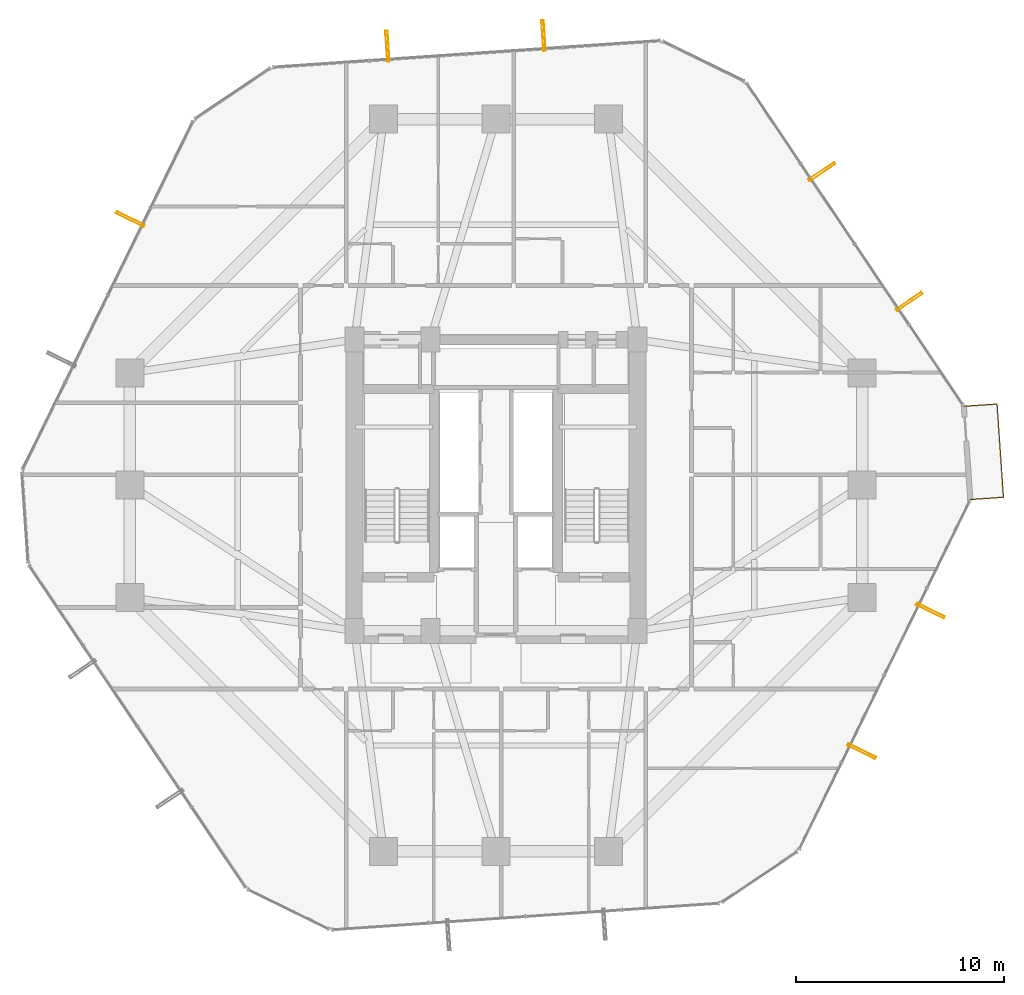
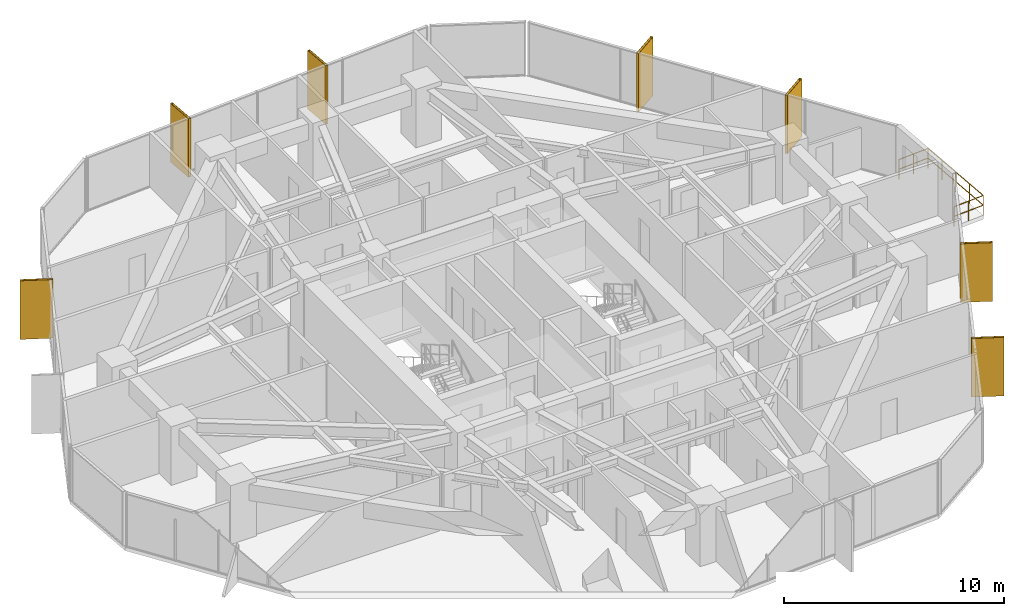
# One storey, part 37 of 37: 7 shading devices, 1 railing.
"""IFC4 building model written with IfcOpenShell, lengths in metres."""

from ifc_helpers import new_model, si_unit, direction, frame, origin, origin_2d, place, context, subcontext, project, spatial, hollow_rectangle, circle, extrude, material, material_profile, profile_set, type_object, element, save


model = new_model("IFC4")

# Units and contexts
model_context = context("Model", 3, precision=1e-05, world=origin(), true_north=direction((0.0, 1.0)))
body_context = subcontext(model_context, "Body", "Model", "MODEL_VIEW")
ifc_project = project(units=[si_unit("LENGTHUNIT", "METRE"), si_unit("AREAUNIT", "SQUARE_METRE"), si_unit("VOLUMEUNIT", "CUBIC_METRE"), si_unit("PLANEANGLEUNIT", "RADIAN"), si_unit("MASSUNIT", "GRAM", prefix="KILO")], contexts=[model_context])

# Site, building, storey
site_placement = place(None, origin())
site = spatial("IfcSite", under=ifc_project, at=site_placement, CompositionType="ELEMENT")
building_placement = place(site_placement, origin())
building = spatial("IfcBuilding", under=site, at=building_placement, Name="Veraguas Prism Commons", CompositionType="ELEMENT")
storey_placement = place(building_placement, frame((0.0, 0.0, 37.050048828125)))
storey = spatial("IfcBuildingStorey", under=building, at=storey_placement, Name="L09", CompositionType="ELEMENT", Elevation=37.050048828125)

# Shading devices
ifc_material_1 = material(Name="Anodised aluminium EN AW-6063 T6", Category="aluminium")
ifc_material_profile = material_profile(ifc_material_1, hollow_rectangle(XDim=0.1201171875, YDim=1.489990234375, WallThickness=0.006103515625, at=origin_2d()), Name="FIN120X1490X6")
ifc_profile_set = profile_set([ifc_material_profile], Name="Anodised aluminium EN AW-6063 T6")
shading_device_type = type_object("IfcShadingDeviceType", Name="Deep Pale-Metal Vertical Solar Fin 120x1490", PredefinedType="USERDEFINED", material=ifc_profile_set)
for number, where, z_axis, x_axis, name in (
    (1, (43.86474609375, 32.82666015625, -0.22998046875), (0.0, 0.0, 1.0), (-0.558036252242, 0.829816570806, 0.0), "Vertical Pale-Metal Solar Fin L09-F1A"),
    (2, (39.66748046875, 39.068115234375, -0.22998046875), (0.0, 0.0, 1.0), (-0.558036252242, 0.829816570806, 0.0), "Vertical Pale-Metal Solar Fin L09-F1B"),
    (3, (26.288330078125, 45.61669921875, -0.22998046875), (0.0, 0.0, 1.0), (-0.997660476238, -0.068363544026, 0.0), "Vertical Pale-Metal Solar Fin L09-F2A"),
    (4, (18.784423828125, 45.102294921875, -0.22998046875), (0.0, 0.0, 1.0), (-0.997660476238, -0.068363544026, 0.0), "Vertical Pale-Metal Solar Fin L09-F2B"),
    (5, (6.423583984375, 36.7900390625, -0.22998046875), (0.0, 0.0, 1.0), (-0.439627239921, -0.898180321494, 0.0), "Vertical Pale-Metal Solar Fin L09-F3A"),
    (6, (41.576416015625, 11.2099609375, -0.22998046875), (0.0, 0.0, 1.0), (0.439627239921, 0.898180321494, 0.0), "Vertical Pale-Metal Solar Fin L09-F6A"),
    (7, (44.883056640625, 17.965576171875, -0.22998046875), (0.0, 0.0, 1.0), (0.439627239921, 0.898180321494, 0.0), "Vertical Pale-Metal Solar Fin L09-F6B"),
):
    element("IfcShadingDevice", number, at=place(storey_placement, frame(where, z_axis=z_axis, x_axis=x_axis)), inside=storey, type_object=shading_device_type, Name=name, ObjectType="FIN", PredefinedType="USERDEFINED", context=body_context, shape_type="SweptSolid", body=[
        extrude(hollow_rectangle(XDim=0.1201171875, YDim=1.489990234375, WallThickness=0.006103515625, at=origin_2d()), origin(), (0.0, 0.0, 1.0), 3.25),
    ])

# Railing
ifc_material_2 = material(Name="Stainless steel AISI 316", Category="steel")
railing_type = type_object("IfcRailingType", Name="Loggia and Sky Pool Glazed Balustrade 1120", PredefinedType="BALUSTRADE", material=ifc_material_2)
railing_placement = place(storey_placement, frame((46.8017578125, 23.30712890625, 0.0)))
element("IfcRailing", 8, at=railing_placement, inside=storey, type_object=railing_type, Name="Recessed Corner Loggia L09-C1 Guard", PredefinedType="BALUSTRADE", context=body_context, shape_type="SweptSolid", body=[
    extrude(circle(Radius=0.02392578125, at=origin_2d()), frame((0.0, 0.0, 1.09619140625), z_axis=(0.997660569681, 0.068362180364, 0.0), x_axis=(-0.068362180364, 0.997660569681, 0.0)), (0.0, 0.0, 1.0), 1.599853515625),
    extrude(circle(Radius=0.02392578125, at=origin_2d()), frame((0.0, 0.0, 0.56005859375), z_axis=(0.997660569681, 0.068362180364, 0.0), x_axis=(-0.068362180364, 0.997660569681, 0.0)), (0.0, 0.0, 1.0), 1.599853515625),
    extrude(circle(Radius=0.02392578125, at=origin_2d()), frame((1.59619140625, 0.109375, 1.09619140625), z_axis=(-0.068358942701, 0.997660791528, 0.0), x_axis=(-0.997660791528, -0.068358942701, 0.0)), (0.0, 0.0, 1.0), 4.5),
    extrude(circle(Radius=0.02392578125, at=origin_2d()), frame((1.59619140625, 0.109375, 0.56005859375), z_axis=(-0.068358942701, 0.997660791528, 0.0), x_axis=(-0.997660791528, -0.068358942701, 0.0)), (0.0, 0.0, 1.0), 4.5),
    extrude(circle(Radius=0.02392578125, at=origin_2d()), frame((1.28857421875, 4.598876953125, 1.09619140625), z_axis=(-0.99766128265, -0.068351774679, 0.0), x_axis=(0.068351774679, -0.99766128265, 0.0)), (0.0, 0.0, 1.0), 1.60009765625),
    extrude(circle(Radius=0.02392578125, at=origin_2d()), frame((1.28857421875, 4.598876953125, 0.56005859375), z_axis=(-0.99766128265, -0.068351774679, 0.0), x_axis=(0.068351774679, -0.99766128265, 0.0)), (0.0, 0.0, 1.0), 1.60009765625),
    extrude(circle(Radius=0.02099609375, at=origin_2d()), origin(), (0.0, 0.0, 1.0), 1.072021484375),
    extrude(circle(Radius=0.02099609375, at=origin_2d()), frame((0.798095703125, 0.0546875, 0.0)), (0.0, 0.0, 1.0), 1.072021484375),
    extrude(circle(Radius=0.02099609375, at=origin_2d()), frame((1.59619140625, 0.109375, 0.0)), (0.0, 0.0, 1.0), 1.072021484375),
    extrude(circle(Radius=0.02099609375, at=origin_2d()), frame((1.519287109375, 1.231689453125, 0.0)), (0.0, 0.0, 1.0), 1.072021484375),
    extrude(circle(Radius=0.02099609375, at=origin_2d()), frame((1.4423828125, 2.35400390625, 0.0)), (0.0, 0.0, 1.0), 1.072021484375),
    extrude(circle(Radius=0.02099609375, at=origin_2d()), frame((1.365478515625, 3.4765625, 0.0)), (0.0, 0.0, 1.0), 1.072021484375),
    extrude(circle(Radius=0.02099609375, at=origin_2d()), frame((1.28857421875, 4.598876953125, 0.0)), (0.0, 0.0, 1.0), 1.072021484375),
    extrude(circle(Radius=0.02099609375, at=origin_2d()), frame((0.490234375, 4.544189453125, 0.0)), (0.0, 0.0, 1.0), 1.072021484375),
    extrude(circle(Radius=0.02099609375, at=origin_2d()), frame((-0.307861328125, 4.489501953125, 0.0)), (0.0, 0.0, 1.0), 1.072021484375),
])

save(model, "model.ifc")
